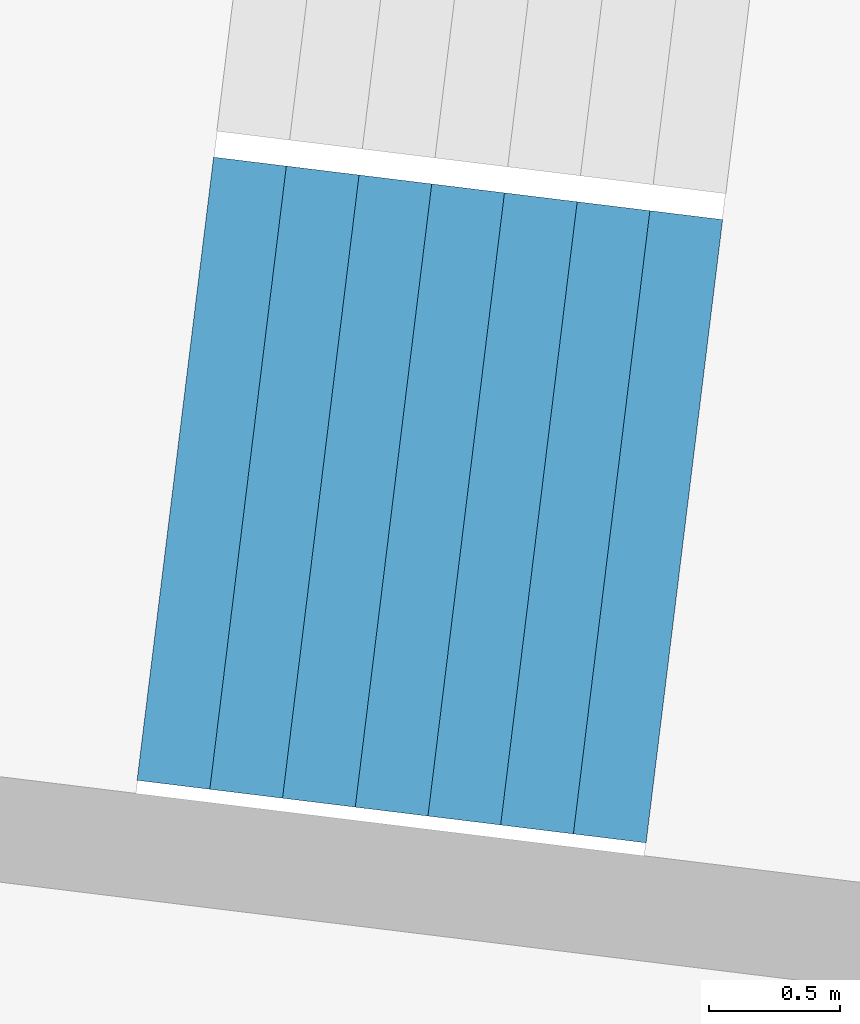
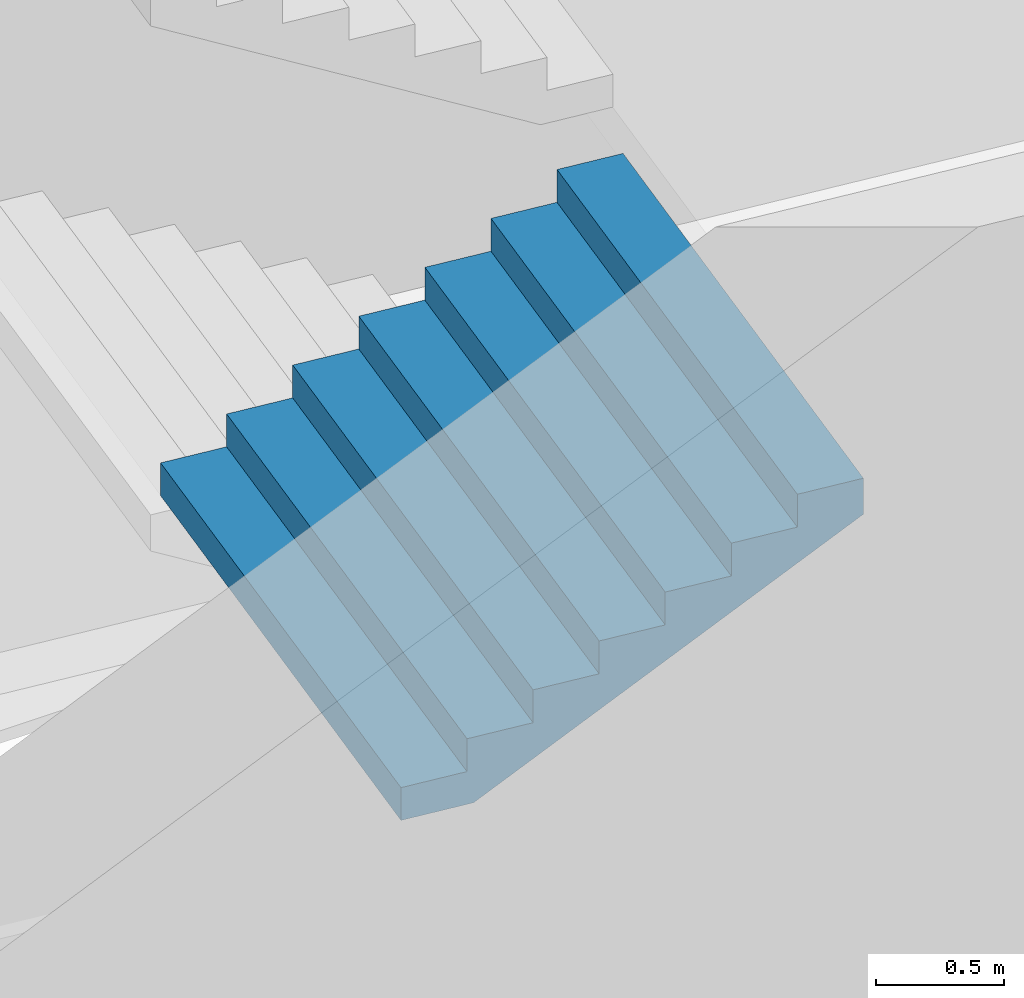
# One storey, part 54 of 73: 1 stair flight, 1 element without a shape of its own.
"""IFC4 building model written with IfcOpenShell, lengths in metres."""

from ifc_helpers import new_model, si_unit, direction, frame, origin, place, context, subcontext, project, spatial, triangles, material, type_object, element, aggregate, save


model = new_model("IFC4")

# Units and contexts
model_context = context("Model", 3, precision=1e-05, world=origin(), true_north=direction((0.0, 1.0)))
body_context = subcontext(model_context, "Body", "Model", "MODEL_VIEW")
ifc_project = project(units=[si_unit("LENGTHUNIT", "METRE"), si_unit("AREAUNIT", "SQUARE_METRE"), si_unit("VOLUMEUNIT", "CUBIC_METRE"), si_unit("PLANEANGLEUNIT", "RADIAN"), si_unit("MASSUNIT", "GRAM", prefix="KILO")], contexts=[model_context])

# Site, building, storey
site_placement = place(None, origin())
site = spatial("IfcSite", under=ifc_project, at=site_placement, CompositionType="ELEMENT")
building_placement = place(site_placement, origin())
building = spatial("IfcBuilding", under=site, at=building_placement, Name="Lantaw Convention Tower", CompositionType="ELEMENT")
storey_placement = place(building_placement, frame((0.0, 0.0, 27.0)))
storey = spatial("IfcBuildingStorey", under=building, at=storey_placement, Name="L04", CompositionType="ELEMENT", Elevation=27.0)

# Stair, stair flight
ifc_material = material(Name="Concrete C35/45", Category="concrete")
stair_type = type_object("IfcStairType", Name="Exit stair 2400 riser 156.25 in 4 flights", PredefinedType="HALF_TURN_STAIR", material=ifc_material)
stair_placement = place(storey_placement, origin())
stair = element("IfcStair", 1, at=stair_placement, inside=storey, type_object=stair_type, Name="Podium exit stair P13 L04", PredefinedType="HALF_TURN_STAIR")
stair_flight_type = type_object("IfcStairFlightType", Name="Stair flight 2400 riser 156.25", PredefinedType="STRAIGHT", material=ifc_material)
stair_flight_placement = place(storey_placement, frame((34.857421875, -5.539306640625, 2.5), z_axis=(0.0, 0.0, 1.0), x_axis=(0.992546151641, -0.121869343405, 0.0)))
stair_flight = element("IfcStairFlight", 2, at=stair_flight_placement, type_object=stair_flight_type, Name="P13 flight 3", NumberOfRisers=8, NumberOfTreads=7, PredefinedType="STRAIGHT", RiserHeight=0.15625, TreadLength=0.28, context=body_context, shape_type="Tessellation", body=[
    triangles([(0.0, 1.199951171875, 0.0), (0.0, 1.199951171875, 0.15625), (0.28, 1.199951171875, 0.0), (0.28, 1.199951171875, 0.15625), (0.28, 1.199951171875, 0.3125), (0.3076200632058044, 1.199951171875, 0.0), (0.3076200632058044, 1.199951171875, 0.3125), (0.56, 1.199951171875, 0.14083701830033238), (0.56, 1.199951171875, 0.3125), (0.56, 1.199951171875, 0.46875), (0.8400000000000001, 1.199951171875, 0.29708701830033235), (0.8400000000000001, 1.199951171875, 0.46875), (0.8400000000000001, 1.199951171875, 0.625), (1.12, 1.199951171875, 0.45333701830033235), (1.12, 1.199951171875, 0.625), (1.12, 1.199951171875, 0.78125), (1.4000000000000001, 1.199951171875, 0.6095870183003324), (1.4000000000000001, 1.199951171875, 0.78125), (1.4000000000000001, 1.199951171875, 0.9375), (1.6800000000000002, 1.199951171875, 0.7658370183003324), (1.6800000000000002, 1.199951171875, 0.9375), (1.6800000000000002, 1.199951171875, 1.09375), (1.9600000000000002, 1.199951171875, 0.9220870183003324), (1.9600000000000002, 1.199951171875, 1.09375), (0.0, -1.199951171875, 0.0), (0.0, -1.199951171875, 0.15625), (0.28, -1.199951171875, 0.0), (0.28, -1.199951171875, 0.15625), (0.28, -1.199951171875, 0.3125), (0.3076200632058044, -1.199951171875, 0.0), (0.3076200632058044, -1.199951171875, 0.3125), (0.56, -1.199951171875, 0.14083701830033238), (0.56, -1.199951171875, 0.3125), (0.56, -1.199951171875, 0.46875), (0.8400000000000001, -1.199951171875, 0.29708701830033235), (0.8400000000000001, -1.199951171875, 0.46875), (0.8400000000000001, -1.199951171875, 0.625), (1.12, -1.199951171875, 0.45333701830033235), (1.12, -1.199951171875, 0.625), (1.12, -1.199951171875, 0.78125), (1.4000000000000001, -1.199951171875, 0.6095870183003324), (1.4000000000000001, -1.199951171875, 0.78125), (1.4000000000000001, -1.199951171875, 0.9375), (1.6800000000000002, -1.199951171875, 0.7658370183003324), (1.6800000000000002, -1.199951171875, 0.9375), (1.6800000000000002, -1.199951171875, 1.09375), (1.9600000000000002, -1.199951171875, 0.9220870183003324), (1.9600000000000002, -1.199951171875, 1.09375), (0.0, 0.239990234375, 0.15625), (0.0, 0.239990234375, 0.0), (0.0, 0.1919921875, 0.15625), (0.0, 0.1919921875, 0.0), (0.0, 0.143994140625, 0.15625), (0.0, 0.143994140625, 0.0), (0.0, 0.09599609375, 0.15625), (0.0, 0.09599609375, 0.0), (0.0, 0.047998046875, 0.15625), (0.0, 0.047998046875, 0.0), (0.0, 0.0, 0.15625), (0.0, 0.0, 0.0), (0.0, -0.047998046875, 0.15625), (0.0, -0.047998046875, 0.0), (0.0, -0.09599609375, 0.15625), (0.0, -0.09599609375, 0.0), (0.0, -0.143994140625, 0.15625), (0.0, -0.143994140625, 0.0), (0.0, -0.1919921875, 0.15625), (0.0, -0.1919921875, 0.0), (0.0, -0.239990234375, 0.15625), (0.0, -0.239990234375, 0.0), (0.28, 0.239990234375, 0.3125), (0.28, 0.239990234375, 0.15625), (0.28, 0.1919921875, 0.3125), (0.28, 0.1919921875, 0.15625), (0.28, 0.143994140625, 0.3125), (0.28, 0.143994140625, 0.15625), (0.28, 0.09599609375, 0.3125), (0.28, 0.09599609375, 0.15625), (0.28, 0.047998046875, 0.3125), (0.28, 0.047998046875, 0.15625), (0.28, 0.0, 0.3125), (0.28, 0.0, 0.15625), (0.28, -0.047998046875, 0.3125), (0.28, -0.047998046875, 0.15625), (0.28, -0.09599609375, 0.3125), (0.28, -0.09599609375, 0.15625), (0.28, -0.143994140625, 0.3125), (0.28, -0.143994140625, 0.15625), (0.28, -0.1919921875, 0.3125), (0.28, -0.1919921875, 0.15625), (0.28, -0.239990234375, 0.3125), (0.28, -0.239990234375, 0.15625), (0.56, 0.239990234375, 0.46875), (0.56, 0.239990234375, 0.3125), (0.56, 0.1919921875, 0.46875), (0.56, 0.1919921875, 0.3125), (0.56, 0.143994140625, 0.46875), (0.56, 0.143994140625, 0.3125), (0.56, 0.09599609375, 0.46875), (0.56, 0.09599609375, 0.3125), (0.56, 0.047998046875, 0.46875), (0.56, 0.047998046875, 0.3125), (0.56, 0.0, 0.46875), (0.56, 0.0, 0.3125), (0.56, -0.047998046875, 0.46875), (0.56, -0.047998046875, 0.3125), (0.56, -0.09599609375, 0.46875), (0.56, -0.09599609375, 0.3125), (0.56, -0.143994140625, 0.46875), (0.56, -0.143994140625, 0.3125), (0.56, -0.1919921875, 0.46875), (0.56, -0.1919921875, 0.3125), (0.56, -0.239990234375, 0.46875), (0.56, -0.239990234375, 0.3125), (0.8400000000000001, 0.239990234375, 0.625), (0.8400000000000001, 0.239990234375, 0.46875), (0.8400000000000001, 0.1919921875, 0.625), (0.8400000000000001, 0.1919921875, 0.46875), (0.8400000000000001, 0.143994140625, 0.625), (0.8400000000000001, 0.143994140625, 0.46875), (0.8400000000000001, 0.09599609375, 0.625), (0.8400000000000001, 0.09599609375, 0.46875), (0.8400000000000001, 0.047998046875, 0.625), (0.8400000000000001, 0.047998046875, 0.46875), (0.8400000000000001, 0.0, 0.625), (0.8400000000000001, 0.0, 0.46875), (0.8400000000000001, -0.047998046875, 0.625), (0.8400000000000001, -0.047998046875, 0.46875), (0.8400000000000001, -0.09599609375, 0.625), (0.8400000000000001, -0.09599609375, 0.46875), (0.8400000000000001, -0.143994140625, 0.625), (0.8400000000000001, -0.143994140625, 0.46875), (0.8400000000000001, -0.1919921875, 0.625), (0.8400000000000001, -0.1919921875, 0.46875), (0.8400000000000001, -0.239990234375, 0.625), (0.8400000000000001, -0.239990234375, 0.46875), (1.12, 0.239990234375, 0.78125), (1.12, 0.239990234375, 0.625), (1.12, 0.1919921875, 0.78125), (1.12, 0.1919921875, 0.625), (1.12, 0.143994140625, 0.78125), (1.12, 0.143994140625, 0.625), (1.12, 0.09599609375, 0.78125), (1.12, 0.09599609375, 0.625), (1.12, 0.047998046875, 0.78125), (1.12, 0.047998046875, 0.625), (1.12, 0.0, 0.78125), (1.12, 0.0, 0.625), (1.12, -0.047998046875, 0.78125), (1.12, -0.047998046875, 0.625), (1.12, -0.09599609375, 0.78125), (1.12, -0.09599609375, 0.625), (1.12, -0.143994140625, 0.78125), (1.12, -0.143994140625, 0.625), (1.12, -0.1919921875, 0.78125), (1.12, -0.1919921875, 0.625), (1.12, -0.239990234375, 0.78125), (1.12, -0.239990234375, 0.625), (1.4000000000000001, 0.239990234375, 0.9375), (1.4000000000000001, 0.239990234375, 0.78125), (1.4000000000000001, 0.1919921875, 0.9375), (1.4000000000000001, 0.1919921875, 0.78125), (1.4000000000000001, 0.143994140625, 0.9375), (1.4000000000000001, 0.143994140625, 0.78125), (1.4000000000000001, 0.09599609375, 0.9375), (1.4000000000000001, 0.09599609375, 0.78125), (1.4000000000000001, 0.047998046875, 0.9375), (1.4000000000000001, 0.047998046875, 0.78125), (1.4000000000000001, 0.0, 0.9375), (1.4000000000000001, 0.0, 0.78125), (1.4000000000000001, -0.047998046875, 0.9375), (1.4000000000000001, -0.047998046875, 0.78125), (1.4000000000000001, -0.09599609375, 0.9375), (1.4000000000000001, -0.09599609375, 0.78125), (1.4000000000000001, -0.143994140625, 0.9375), (1.4000000000000001, -0.143994140625, 0.78125), (1.4000000000000001, -0.1919921875, 0.9375), (1.4000000000000001, -0.1919921875, 0.78125), (1.4000000000000001, -0.239990234375, 0.9375), (1.4000000000000001, -0.239990234375, 0.78125), (1.6800000000000002, 0.239990234375, 1.09375), (1.6800000000000002, 0.239990234375, 0.9375), (1.6800000000000002, 0.1919921875, 1.09375), (1.6800000000000002, 0.1919921875, 0.9375), (1.6800000000000002, 0.143994140625, 1.09375), (1.6800000000000002, 0.143994140625, 0.9375), (1.6800000000000002, 0.09599609375, 1.09375), (1.6800000000000002, 0.09599609375, 0.9375), (1.6800000000000002, 0.047998046875, 1.09375), (1.6800000000000002, 0.047998046875, 0.9375), (1.6800000000000002, 0.0, 1.09375), (1.6800000000000002, 0.0, 0.9375), (1.6800000000000002, -0.047998046875, 1.09375), (1.6800000000000002, -0.047998046875, 0.9375), (1.6800000000000002, -0.09599609375, 1.09375), (1.6800000000000002, -0.09599609375, 0.9375), (1.6800000000000002, -0.143994140625, 1.09375), (1.6800000000000002, -0.143994140625, 0.9375), (1.6800000000000002, -0.1919921875, 1.09375), (1.6800000000000002, -0.1919921875, 0.9375), (1.6800000000000002, -0.239990234375, 1.09375), (1.6800000000000002, -0.239990234375, 0.9375), (0.3076200632058044, 0.239990234375, 0.3125), (0.3076200632058044, 0.1919921875, 0.3125), (0.3076200632058044, 0.143994140625, 0.3125), (0.3076200632058044, 0.09599609375, 0.3125), (0.3076200632058044, 0.047998046875, 0.3125), (0.3076200632058044, 0.0, 0.3125), (0.3076200632058044, -0.047998046875, 0.3125), (0.3076200632058044, -0.09599609375, 0.3125), (0.3076200632058044, -0.143994140625, 0.3125), (0.3076200632058044, -0.1919921875, 0.3125), (0.3076200632058044, -0.239990234375, 0.3125), (1.9600000000000002, 0.239990234375, 1.09375), (1.9600000000000002, 0.1919921875, 1.09375), (1.9600000000000002, 0.143994140625, 1.09375), (1.9600000000000002, 0.09599609375, 1.09375), (1.9600000000000002, 0.047998046875, 1.09375), (1.9600000000000002, 0.0, 1.09375), (1.9600000000000002, -0.047998046875, 1.09375), (1.9600000000000002, -0.09599609375, 1.09375), (1.9600000000000002, -0.143994140625, 1.09375), (1.9600000000000002, -0.1919921875, 1.09375), (1.9600000000000002, -0.239990234375, 1.09375), (1.9600000000000002, 0.239990234375, 0.9220870183003324), (1.9600000000000002, 0.1919921875, 0.9220870183003324), (1.9600000000000002, 0.143994140625, 0.9220870183003324), (1.9600000000000002, 0.09599609375, 0.9220870183003324), (1.9600000000000002, 0.047998046875, 0.9220870183003324), (1.9600000000000002, 0.0, 0.9220870183003324), (1.9600000000000002, -0.047998046875, 0.9220870183003324), (1.9600000000000002, -0.09599609375, 0.9220870183003324), (1.9600000000000002, -0.143994140625, 0.9220870183003324), (1.9600000000000002, -0.1919921875, 0.9220870183003324), (1.9600000000000002, -0.239990234375, 0.9220870183003324), (1.6800000000000002, 0.239990234375, 0.7658370183003324), (1.6800000000000002, 0.1919921875, 0.7658370183003324), (1.6800000000000002, 0.143994140625, 0.7658370183003324), (1.6800000000000002, 0.09599609375, 0.7658370183003324), (1.6800000000000002, 0.047998046875, 0.7658370183003324), (1.6800000000000002, 0.0, 0.7658370183003324), (1.6800000000000002, -0.047998046875, 0.7658370183003324), (1.6800000000000002, -0.09599609375, 0.7658370183003324), (1.6800000000000002, -0.143994140625, 0.7658370183003324), (1.6800000000000002, -0.1919921875, 0.7658370183003324), (1.6800000000000002, -0.239990234375, 0.7658370183003324), (1.4000000000000001, 0.239990234375, 0.6095870183003324), (1.4000000000000001, 0.1919921875, 0.6095870183003324), (1.4000000000000001, 0.143994140625, 0.6095870183003324), (1.4000000000000001, 0.09599609375, 0.6095870183003324), (1.4000000000000001, 0.047998046875, 0.6095870183003324), (1.4000000000000001, 0.0, 0.6095870183003324), (1.4000000000000001, -0.047998046875, 0.6095870183003324), (1.4000000000000001, -0.09599609375, 0.6095870183003324), (1.4000000000000001, -0.143994140625, 0.6095870183003324), (1.4000000000000001, -0.1919921875, 0.6095870183003324), (1.4000000000000001, -0.239990234375, 0.6095870183003324), (1.12, 0.239990234375, 0.45333701830033235), (1.12, 0.1919921875, 0.45333701830033235), (1.12, 0.143994140625, 0.45333701830033235), (1.12, 0.09599609375, 0.45333701830033235), (1.12, 0.047998046875, 0.45333701830033235), (1.12, 0.0, 0.45333701830033235), (1.12, -0.047998046875, 0.45333701830033235), (1.12, -0.09599609375, 0.45333701830033235), (1.12, -0.143994140625, 0.45333701830033235), (1.12, -0.1919921875, 0.45333701830033235), (1.12, -0.239990234375, 0.45333701830033235), (0.8400000000000001, 0.239990234375, 0.29708701830033235), (0.8400000000000001, 0.1919921875, 0.29708701830033235), (0.8400000000000001, 0.143994140625, 0.29708701830033235), (0.8400000000000001, 0.09599609375, 0.29708701830033235), (0.8400000000000001, 0.047998046875, 0.29708701830033235), (0.8400000000000001, 0.0, 0.29708701830033235), (0.8400000000000001, -0.047998046875, 0.29708701830033235), (0.8400000000000001, -0.09599609375, 0.29708701830033235), (0.8400000000000001, -0.143994140625, 0.29708701830033235), (0.8400000000000001, -0.1919921875, 0.29708701830033235), (0.8400000000000001, -0.239990234375, 0.29708701830033235), (0.56, 0.239990234375, 0.14083701830033238), (0.56, 0.1919921875, 0.14083701830033238), (0.56, 0.143994140625, 0.14083701830033238), (0.56, 0.09599609375, 0.14083701830033238), (0.56, 0.047998046875, 0.14083701830033238), (0.56, 0.0, 0.14083701830033238), (0.56, -0.047998046875, 0.14083701830033238), (0.56, -0.09599609375, 0.14083701830033238), (0.56, -0.143994140625, 0.14083701830033238), (0.56, -0.1919921875, 0.14083701830033238), (0.56, -0.239990234375, 0.14083701830033238), (0.3076200632058044, 0.239990234375, 0.0), (0.3076200632058044, 0.1919921875, 0.0), (0.3076200632058044, 0.143994140625, 0.0), (0.3076200632058044, 0.09599609375, 0.0), (0.3076200632058044, 0.047998046875, 0.0), (0.3076200632058044, 0.0, 0.0), (0.3076200632058044, -0.047998046875, 0.0), (0.3076200632058044, -0.09599609375, 0.0), (0.3076200632058044, -0.143994140625, 0.0), (0.3076200632058044, -0.1919921875, 0.0), (0.3076200632058044, -0.239990234375, 0.0), (0.28, 0.239990234375, 0.0), (0.28, 0.1919921875, 0.0), (0.28, 0.143994140625, 0.0), (0.28, 0.09599609375, 0.0), (0.28, 0.047998046875, 0.0), (0.28, 0.0, 0.0), (0.28, -0.047998046875, 0.0), (0.28, -0.09599609375, 0.0), (0.28, -0.143994140625, 0.0), (0.28, -0.1919921875, 0.0), (0.28, -0.239990234375, 0.0)], [[1, 4, 3], [1, 2, 4], [3, 4, 6], [4, 7, 6], [4, 5, 7], [6, 9, 8], [6, 7, 9], [8, 9, 11], [9, 12, 11], [9, 10, 12], [11, 12, 14], [12, 15, 14], [12, 13, 15], [14, 15, 17], [15, 18, 17], [15, 16, 18], [17, 18, 20], [18, 21, 20], [18, 19, 21], [20, 21, 23], [21, 24, 23], [21, 22, 24], [25, 27, 28], [25, 28, 26], [27, 30, 28], [28, 30, 31], [28, 31, 29], [30, 32, 33], [30, 33, 31], [32, 35, 33], [33, 35, 36], [33, 36, 34], [35, 38, 36], [36, 38, 39], [36, 39, 37], [38, 41, 39], [39, 41, 42], [39, 42, 40], [41, 44, 42], [42, 44, 45], [42, 45, 43], [44, 47, 45], [45, 47, 48], [45, 48, 46], [1, 49, 2], [1, 50, 49], [50, 51, 49], [50, 52, 51], [52, 53, 51], [52, 54, 53], [54, 55, 53], [54, 56, 55], [56, 57, 55], [56, 58, 57], [58, 59, 57], [58, 60, 59], [60, 61, 59], [60, 62, 61], [62, 63, 61], [62, 64, 63], [64, 65, 63], [64, 66, 65], [66, 67, 65], [66, 68, 67], [68, 69, 67], [68, 70, 69], [70, 26, 69], [70, 25, 26], [4, 71, 5], [4, 72, 71], [72, 73, 71], [72, 74, 73], [74, 75, 73], [74, 76, 75], [76, 77, 75], [76, 78, 77], [78, 79, 77], [78, 80, 79], [80, 81, 79], [80, 82, 81], [82, 83, 81], [82, 84, 83], [84, 85, 83], [84, 86, 85], [86, 87, 85], [86, 88, 87], [88, 89, 87], [88, 90, 89], [90, 91, 89], [90, 92, 91], [92, 29, 91], [92, 28, 29], [9, 93, 10], [9, 94, 93], [94, 95, 93], [94, 96, 95], [96, 97, 95], [96, 98, 97], [98, 99, 97], [98, 100, 99], [100, 101, 99], [100, 102, 101], [102, 103, 101], [102, 104, 103], [104, 105, 103], [104, 106, 105], [106, 107, 105], [106, 108, 107], [108, 109, 107], [108, 110, 109], [110, 111, 109], [110, 112, 111], [112, 113, 111], [112, 114, 113], [114, 34, 113], [114, 33, 34], [12, 115, 13], [12, 116, 115], [116, 117, 115], [116, 118, 117], [118, 119, 117], [118, 120, 119], [120, 121, 119], [120, 122, 121], [122, 123, 121], [122, 124, 123], [124, 125, 123], [124, 126, 125], [126, 127, 125], [126, 128, 127], [128, 129, 127], [128, 130, 129], [130, 131, 129], [130, 132, 131], [132, 133, 131], [132, 134, 133], [134, 135, 133], [134, 136, 135], [136, 37, 135], [136, 36, 37], [15, 137, 16], [15, 138, 137], [138, 139, 137], [138, 140, 139], [140, 141, 139], [140, 142, 141], [142, 143, 141], [142, 144, 143], [144, 145, 143], [144, 146, 145], [146, 147, 145], [146, 148, 147], [148, 149, 147], [148, 150, 149], [150, 151, 149], [150, 152, 151], [152, 153, 151], [152, 154, 153], [154, 155, 153], [154, 156, 155], [156, 157, 155], [156, 158, 157], [158, 40, 157], [158, 39, 40], [18, 159, 19], [18, 160, 159], [160, 161, 159], [160, 162, 161], [162, 163, 161], [162, 164, 163], [164, 165, 163], [164, 166, 165], [166, 167, 165], [166, 168, 167], [168, 169, 167], [168, 170, 169], [170, 171, 169], [170, 172, 171], [172, 173, 171], [172, 174, 173], [174, 175, 173], [174, 176, 175], [176, 177, 175], [176, 178, 177], [178, 179, 177], [178, 180, 179], [180, 43, 179], [180, 42, 43], [21, 181, 22], [21, 182, 181], [182, 183, 181], [182, 184, 183], [184, 185, 183], [184, 186, 185], [186, 187, 185], [186, 188, 187], [188, 189, 187], [188, 190, 189], [190, 191, 189], [190, 192, 191], [192, 193, 191], [192, 194, 193], [194, 195, 193], [194, 196, 195], [196, 197, 195], [196, 198, 197], [198, 199, 197], [198, 200, 199], [200, 201, 199], [200, 202, 201], [202, 46, 201], [202, 45, 46], [2, 72, 4], [2, 49, 72], [49, 74, 72], [49, 51, 74], [51, 76, 74], [51, 53, 76], [53, 78, 76], [53, 55, 78], [55, 80, 78], [55, 57, 80], [57, 82, 80], [57, 59, 82], [59, 84, 82], [59, 61, 84], [61, 86, 84], [61, 63, 86], [63, 88, 86], [63, 65, 88], [65, 90, 88], [65, 67, 90], [67, 92, 90], [67, 69, 92], [69, 28, 92], [69, 26, 28], [5, 203, 7], [5, 71, 203], [71, 204, 203], [71, 73, 204], [73, 205, 204], [73, 75, 205], [75, 206, 205], [75, 77, 206], [77, 207, 206], [77, 79, 207], [79, 208, 207], [79, 81, 208], [81, 209, 208], [81, 83, 209], [83, 210, 209], [83, 85, 210], [85, 211, 210], [85, 87, 211], [87, 212, 211], [87, 89, 212], [89, 213, 212], [89, 91, 213], [91, 31, 213], [91, 29, 31], [7, 94, 9], [7, 203, 94], [203, 96, 94], [203, 204, 96], [204, 98, 96], [204, 205, 98], [205, 100, 98], [205, 206, 100], [206, 102, 100], [206, 207, 102], [207, 104, 102], [207, 208, 104], [208, 106, 104], [208, 209, 106], [209, 108, 106], [209, 210, 108], [210, 110, 108], [210, 211, 110], [211, 112, 110], [211, 212, 112], [212, 114, 112], [212, 213, 114], [213, 33, 114], [213, 31, 33], [10, 116, 12], [10, 93, 116], [93, 118, 116], [93, 95, 118], [95, 120, 118], [95, 97, 120], [97, 122, 120], [97, 99, 122], [99, 124, 122], [99, 101, 124], [101, 126, 124], [101, 103, 126], [103, 128, 126], [103, 105, 128], [105, 130, 128], [105, 107, 130], [107, 132, 130], [107, 109, 132], [109, 134, 132], [109, 111, 134], [111, 136, 134], [111, 113, 136], [113, 36, 136], [113, 34, 36], [13, 138, 15], [13, 115, 138], [115, 140, 138], [115, 117, 140], [117, 142, 140], [117, 119, 142], [119, 144, 142], [119, 121, 144], [121, 146, 144], [121, 123, 146], [123, 148, 146], [123, 125, 148], [125, 150, 148], [125, 127, 150], [127, 152, 150], [127, 129, 152], [129, 154, 152], [129, 131, 154], [131, 156, 154], [131, 133, 156], [133, 158, 156], [133, 135, 158], [135, 39, 158], [135, 37, 39], [16, 160, 18], [16, 137, 160], [137, 162, 160], [137, 139, 162], [139, 164, 162], [139, 141, 164], [141, 166, 164], [141, 143, 166], [143, 168, 166], [143, 145, 168], [145, 170, 168], [145, 147, 170], [147, 172, 170], [147, 149, 172], [149, 174, 172], [149, 151, 174], [151, 176, 174], [151, 153, 176], [153, 178, 176], [153, 155, 178], [155, 180, 178], [155, 157, 180], [157, 42, 180], [157, 40, 42], [19, 182, 21], [19, 159, 182], [159, 184, 182], [159, 161, 184], [161, 186, 184], [161, 163, 186], [163, 188, 186], [163, 165, 188], [165, 190, 188], [165, 167, 190], [167, 192, 190], [167, 169, 192], [169, 194, 192], [169, 171, 194], [171, 196, 194], [171, 173, 196], [173, 198, 196], [173, 175, 198], [175, 200, 198], [175, 177, 200], [177, 202, 200], [177, 179, 202], [179, 45, 202], [179, 43, 45], [22, 214, 24], [22, 181, 214], [181, 215, 214], [181, 183, 215], [183, 216, 215], [183, 185, 216], [185, 217, 216], [185, 187, 217], [187, 218, 217], [187, 189, 218], [189, 219, 218], [189, 191, 219], [191, 220, 219], [191, 193, 220], [193, 221, 220], [193, 195, 221], [195, 222, 221], [195, 197, 222], [197, 223, 222], [197, 199, 223], [199, 224, 223], [199, 201, 224], [201, 48, 224], [201, 46, 48], [24, 225, 23], [24, 214, 225], [214, 226, 225], [214, 215, 226], [215, 227, 226], [215, 216, 227], [216, 228, 227], [216, 217, 228], [217, 229, 228], [217, 218, 229], [218, 230, 229], [218, 219, 230], [219, 231, 230], [219, 220, 231], [220, 232, 231], [220, 221, 232], [221, 233, 232], [221, 222, 233], [222, 234, 233], [222, 223, 234], [223, 235, 234], [223, 224, 235], [224, 47, 235], [224, 48, 47], [23, 236, 20], [23, 225, 236], [225, 237, 236], [225, 226, 237], [226, 238, 237], [226, 227, 238], [227, 239, 238], [227, 228, 239], [228, 240, 239], [228, 229, 240], [229, 241, 240], [229, 230, 241], [230, 242, 241], [230, 231, 242], [231, 243, 242], [231, 232, 243], [232, 244, 243], [232, 233, 244], [233, 245, 244], [233, 234, 245], [234, 246, 245], [234, 235, 246], [235, 44, 246], [235, 47, 44], [20, 247, 17], [20, 236, 247], [236, 248, 247], [236, 237, 248], [237, 249, 248], [237, 238, 249], [238, 250, 249], [238, 239, 250], [239, 251, 250], [239, 240, 251], [240, 252, 251], [240, 241, 252], [241, 253, 252], [241, 242, 253], [242, 254, 253], [242, 243, 254], [243, 255, 254], [243, 244, 255], [244, 256, 255], [244, 245, 256], [245, 257, 256], [245, 246, 257], [246, 41, 257], [246, 44, 41], [17, 258, 14], [17, 247, 258], [247, 259, 258], [247, 248, 259], [248, 260, 259], [248, 249, 260], [249, 261, 260], [249, 250, 261], [250, 262, 261], [250, 251, 262], [251, 263, 262], [251, 252, 263], [252, 264, 263], [252, 253, 264], [253, 265, 264], [253, 254, 265], [254, 266, 265], [254, 255, 266], [255, 267, 266], [255, 256, 267], [256, 268, 267], [256, 257, 268], [257, 38, 268], [257, 41, 38], [14, 269, 11], [14, 258, 269], [258, 270, 269], [258, 259, 270], [259, 271, 270], [259, 260, 271], [260, 272, 271], [260, 261, 272], [261, 273, 272], [261, 262, 273], [262, 274, 273], [262, 263, 274], [263, 275, 274], [263, 264, 275], [264, 276, 275], [264, 265, 276], [265, 277, 276], [265, 266, 277], [266, 278, 277], [266, 267, 278], [267, 279, 278], [267, 268, 279], [268, 35, 279], [268, 38, 35], [11, 280, 8], [11, 269, 280], [269, 281, 280], [269, 270, 281], [270, 282, 281], [270, 271, 282], [271, 283, 282], [271, 272, 283], [272, 284, 283], [272, 273, 284], [273, 285, 284], [273, 274, 285], [274, 286, 285], [274, 275, 286], [275, 287, 286], [275, 276, 287], [276, 288, 287], [276, 277, 288], [277, 289, 288], [277, 278, 289], [278, 290, 289], [278, 279, 290], [279, 32, 290], [279, 35, 32], [8, 291, 6], [8, 280, 291], [280, 292, 291], [280, 281, 292], [281, 293, 292], [281, 282, 293], [282, 294, 293], [282, 283, 294], [283, 295, 294], [283, 284, 295], [284, 296, 295], [284, 285, 296], [285, 297, 296], [285, 286, 297], [286, 298, 297], [286, 287, 298], [287, 299, 298], [287, 288, 299], [288, 300, 299], [288, 289, 300], [289, 301, 300], [289, 290, 301], [290, 30, 301], [290, 32, 30], [6, 302, 3], [6, 291, 302], [291, 303, 302], [291, 292, 303], [292, 304, 303], [292, 293, 304], [293, 305, 304], [293, 294, 305], [294, 306, 305], [294, 295, 306], [295, 307, 306], [295, 296, 307], [296, 308, 307], [296, 297, 308], [297, 309, 308], [297, 298, 309], [298, 310, 309], [298, 299, 310], [299, 311, 310], [299, 300, 311], [300, 312, 311], [300, 301, 312], [301, 27, 312], [301, 30, 27], [3, 50, 1], [3, 302, 50], [302, 52, 50], [302, 303, 52], [303, 54, 52], [303, 304, 54], [304, 56, 54], [304, 305, 56], [305, 58, 56], [305, 306, 58], [306, 60, 58], [306, 307, 60], [307, 62, 60], [307, 308, 62], [308, 64, 62], [308, 309, 64], [309, 66, 64], [309, 310, 66], [310, 68, 66], [310, 311, 68], [311, 70, 68], [311, 312, 70], [312, 25, 70], [312, 27, 25]], closed=True),
])
aggregate(stair, [stair_flight])

save(model, "model.ifc")
